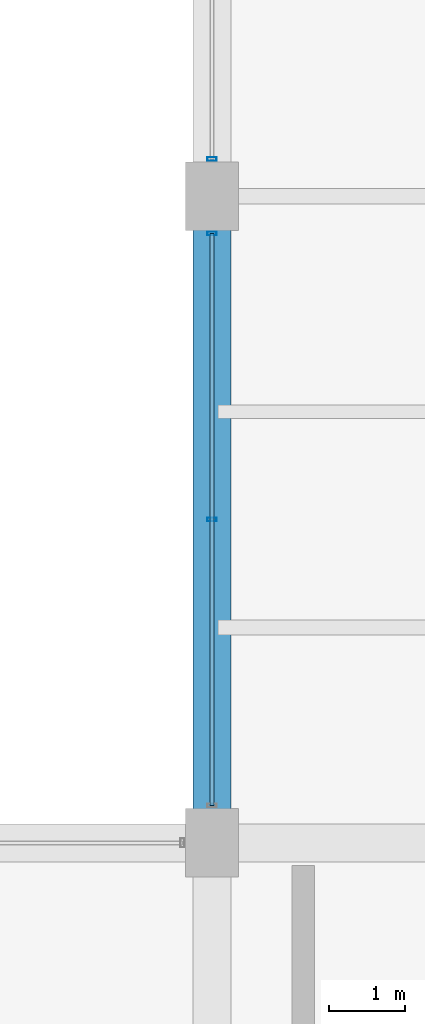
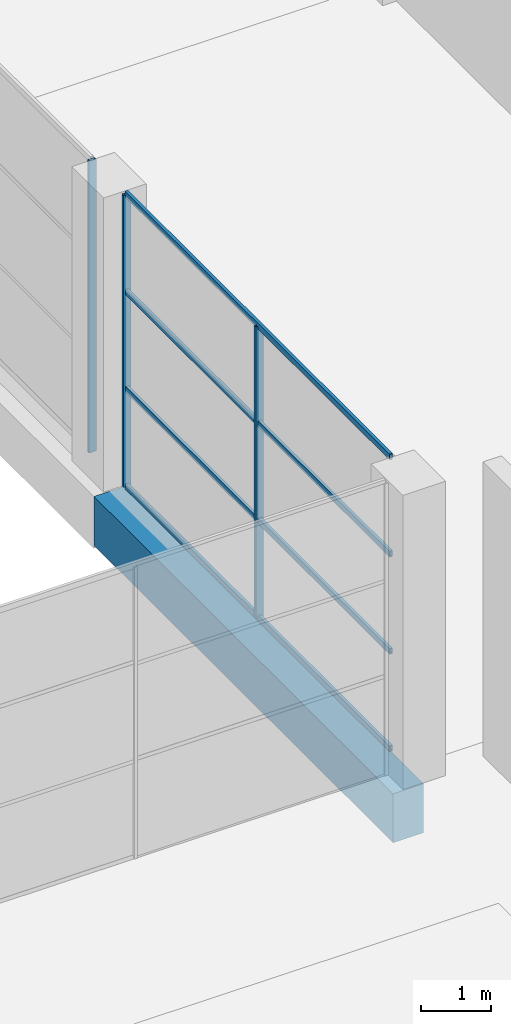
# One storey, part 52 of 90: 7 members, 1 beam, 2 elements without a shape of their own.
"""IFC4 building model written with IfcOpenShell, lengths in metres."""

from ifc_helpers import new_model, si_unit, direction, frame, origin, origin_2d, place, context, subcontext, project, spatial, rectangle, hollow_rectangle, extrude, material, material_profile, profile_set, type_object, element, aggregate, save


model = new_model("IFC4")

# Units and contexts
model_context = context("Model", 3, precision=1e-05, world=origin(), true_north=direction((0.0, 1.0)))
body_context = subcontext(model_context, "Body", "Model", "MODEL_VIEW")
ifc_project = project(units=[si_unit("LENGTHUNIT", "METRE"), si_unit("AREAUNIT", "SQUARE_METRE"), si_unit("VOLUMEUNIT", "CUBIC_METRE"), si_unit("PLANEANGLEUNIT", "RADIAN"), si_unit("MASSUNIT", "GRAM", prefix="KILO")], contexts=[model_context])

# Site, building, storey
site_placement = place(None, origin())
site = spatial("IfcSite", under=ifc_project, at=site_placement, CompositionType="ELEMENT")
building_placement = place(site_placement, origin())
building = spatial("IfcBuilding", under=site, at=building_placement, Name="Solvikara Media Centre", CompositionType="ELEMENT")
storey_placement = place(building_placement, origin())
storey = spatial("IfcBuildingStorey", under=building, at=storey_placement, Name="L00", CompositionType="ELEMENT", Elevation=0.0)

# Beam
ifc_material_1 = material(Name="Concrete fc' 35 MPa (C35/45)", Category="concrete")
ifc_material_profile_1 = material_profile(ifc_material_1, rectangle(XDim=0.5, YDim=0.85009765625, at=origin_2d()), Name="RC 500x850")
ifc_profile_set_1 = profile_set([ifc_material_profile_1], Name="Concrete fc' 35 MPa (C35/45)")
beam_type = type_object("IfcBeamType", Name="BM-08", PredefinedType="BEAM", material=ifc_profile_set_1)
beam_placement = place(storey_placement, frame((154.5, 72.0, -0.804931640625), z_axis=(0.0, 1.0, 0.0), x_axis=(-1.0, 0.0, 0.0)))
element("IfcBeam", 1, at=beam_placement, inside=storey, type_object=beam_type, Name="B-L00-Y0224", PredefinedType="BEAM", context=body_context, shape_type="SweptSolid", body=[
    extrude(rectangle(XDim=0.5, YDim=0.85009765625, at=origin_2d()), origin(), (0.0, 0.0, 1.0), 8.5),
])

# Curtain wall, members
ifc_material_2 = material(Name="Anodised aluminium EN AW-6063", Category="aluminium")
curtain_wall_type = type_object("IfcCurtainWallType", Name="CW-12", PredefinedType="NOTDEFINED", material=ifc_material_2)
curtain_wall_1_placement = place(storey_placement, origin())
curtain_wall_1 = element("IfcCurtainWall", 2, at=curtain_wall_1_placement, inside=storey, type_object=curtain_wall_type, Name="CW-L00-CRT-2-S1", PredefinedType="NOTDEFINED")
ifc_material_profile_2 = material_profile(ifc_material_2, hollow_rectangle(XDim=0.050048828125, YDim=0.1201171875, WallThickness=0.0029296875, at=origin_2d()), Name="ALU-M 50x120x3")
ifc_profile_set_2 = profile_set([ifc_material_profile_2], Name="Anodised aluminium EN AW-6063")
member_type_1 = type_object("IfcMemberType", Name="MF-06", PredefinedType="MULLION", material=ifc_profile_set_2)
member_1_placement = place(storey_placement, frame((154.5, 76.25, 0.02001953125), z_axis=(0.0, 0.0, 1.0), x_axis=(0.0, 1.0, 0.0)))
member_1 = element("IfcMember", 3, at=member_1_placement, type_object=member_type_1, Name="CW-L00-CRT-2-S1-M01", PredefinedType="MULLION", context=body_context, shape_type="SweptSolid", body=[
    extrude(hollow_rectangle(XDim=0.050048828125, YDim=0.1201171875, WallThickness=0.0029296875, at=origin_2d()), origin(), (0.0, 0.0, 1.0), 5.06005859375),
])
member_2_placement = place(storey_placement, frame((154.5, 80.010009765625, 0.02001953125), z_axis=(0.0, 0.0, 1.0), x_axis=(0.0, 1.0, 0.0)))
member_2 = element("IfcMember", 4, at=member_2_placement, type_object=member_type_1, Name="CW-L00-CRT-2-S1-M02", PredefinedType="MULLION", context=body_context, shape_type="SweptSolid", body=[
    extrude(hollow_rectangle(XDim=0.050048828125, YDim=0.1201171875, WallThickness=0.0029296875, at=origin_2d()), origin(), (0.0, 0.0, 1.0), 5.06005859375),
])

# Curtain wall, member
curtain_wall_2_placement = place(storey_placement, origin())
curtain_wall_2 = element("IfcCurtainWall", 5, at=curtain_wall_2_placement, inside=storey, type_object=curtain_wall_type, Name="CW-L00-CRT-2-S2", PredefinedType="NOTDEFINED")
member_3_placement = place(storey_placement, frame((154.5, 80.989990234375, 0.02001953125), z_axis=(0.0, 0.0, 1.0), x_axis=(0.0, 1.0, 0.0)))
member_3 = element("IfcMember", 6, at=member_3_placement, type_object=member_type_1, Name="CW-L00-CRT-2-S2-M00", PredefinedType="MULLION", context=body_context, shape_type="SweptSolid", body=[
    extrude(hollow_rectangle(XDim=0.050048828125, YDim=0.1201171875, WallThickness=0.0029296875, at=origin_2d()), origin(), (0.0, 0.0, 1.0), 5.06005859375),
])
aggregate(curtain_wall_2, [member_3])

# Member
ifc_material_profile_3 = material_profile(ifc_material_2, hollow_rectangle(XDim=0.050048828125, YDim=0.10009765625, WallThickness=0.0029296875, at=origin_2d()), Name="ALU-T 50x100x3")
ifc_profile_set_3 = profile_set([ifc_material_profile_3], Name="Anodised aluminium EN AW-6063")
member_type_2 = type_object("IfcMemberType", Name="MF-12", PredefinedType="USERDEFINED", material=ifc_profile_set_3)
member_4_placement = place(storey_placement, frame((154.5, 72.489990234375, 0.02001953125), z_axis=(0.0, 1.0, 0.0), x_axis=(-1.0, 0.0, 0.0)))
member_4 = element("IfcMember", 7, at=member_4_placement, type_object=member_type_2, Name="CW-L00-CRT-2-S1-T00", ObjectType="TRANSOM", PredefinedType="USERDEFINED", context=body_context, shape_type="SweptSolid", body=[
    extrude(hollow_rectangle(XDim=0.050048828125, YDim=0.10009765625, WallThickness=0.0029296875, at=origin_2d()), origin(), (0.0, 0.0, 1.0), 7.52001953125),
])

member_5_placement = place(storey_placement, frame((154.5, 72.489990234375, 1.70703125), z_axis=(0.0, 1.0, 0.0), x_axis=(-1.0, 0.0, 0.0)))
member_5 = element("IfcMember", 8, at=member_5_placement, type_object=member_type_2, Name="CW-L00-CRT-2-S1-T01", ObjectType="TRANSOM", PredefinedType="USERDEFINED", context=body_context, shape_type="SweptSolid", body=[
    extrude(hollow_rectangle(XDim=0.050048828125, YDim=0.10009765625, WallThickness=0.0029296875, at=origin_2d()), origin(), (0.0, 0.0, 1.0), 7.52001953125),
])

member_6_placement = place(storey_placement, frame((154.5, 72.489990234375, 3.39306640625), z_axis=(0.0, 1.0, 0.0), x_axis=(-1.0, 0.0, 0.0)))
member_6 = element("IfcMember", 9, at=member_6_placement, type_object=member_type_2, Name="CW-L00-CRT-2-S1-T02", ObjectType="TRANSOM", PredefinedType="USERDEFINED", context=body_context, shape_type="SweptSolid", body=[
    extrude(hollow_rectangle(XDim=0.050048828125, YDim=0.10009765625, WallThickness=0.0029296875, at=origin_2d()), origin(), (0.0, 0.0, 1.0), 7.52001953125),
])

member_7_placement = place(storey_placement, frame((154.5, 72.489990234375, 5.080078125), z_axis=(0.0, 1.0, 0.0), x_axis=(-1.0, 0.0, 0.0)))
member_7 = element("IfcMember", 10, at=member_7_placement, type_object=member_type_2, Name="CW-L00-CRT-2-S1-T03", ObjectType="TRANSOM", PredefinedType="USERDEFINED", context=body_context, shape_type="SweptSolid", body=[
    extrude(hollow_rectangle(XDim=0.050048828125, YDim=0.10009765625, WallThickness=0.0029296875, at=origin_2d()), origin(), (0.0, 0.0, 1.0), 7.52001953125),
])

aggregate(curtain_wall_1, [member_1, member_2, member_4, member_5, member_6, member_7])

save(model, "model.ifc")
